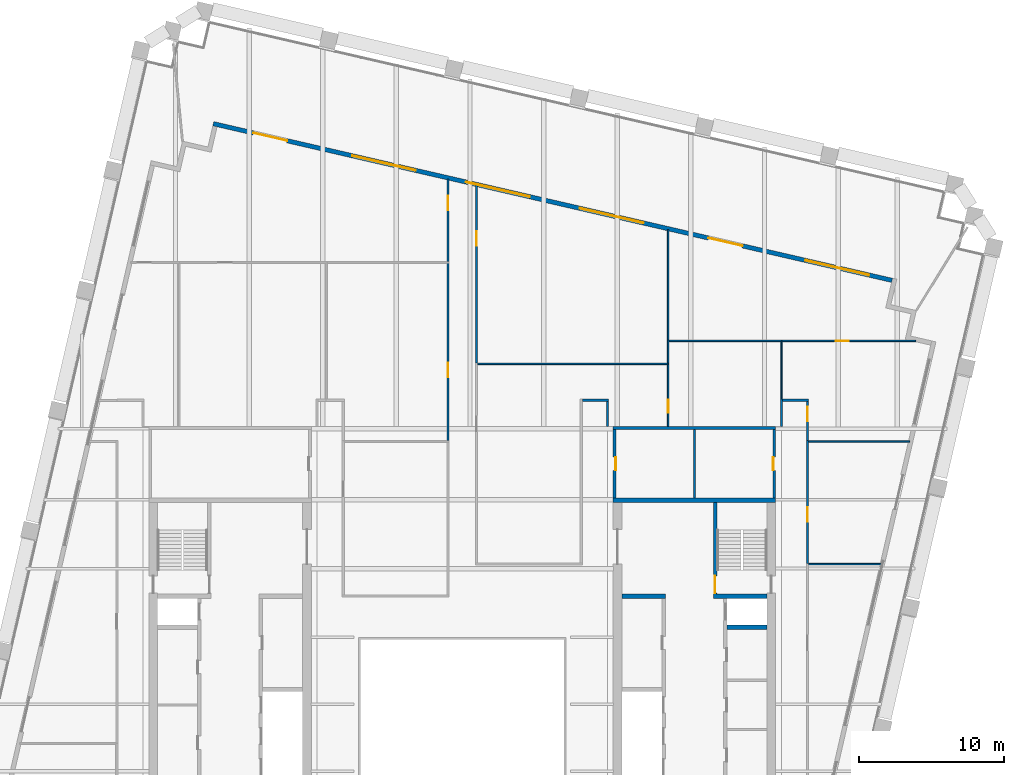
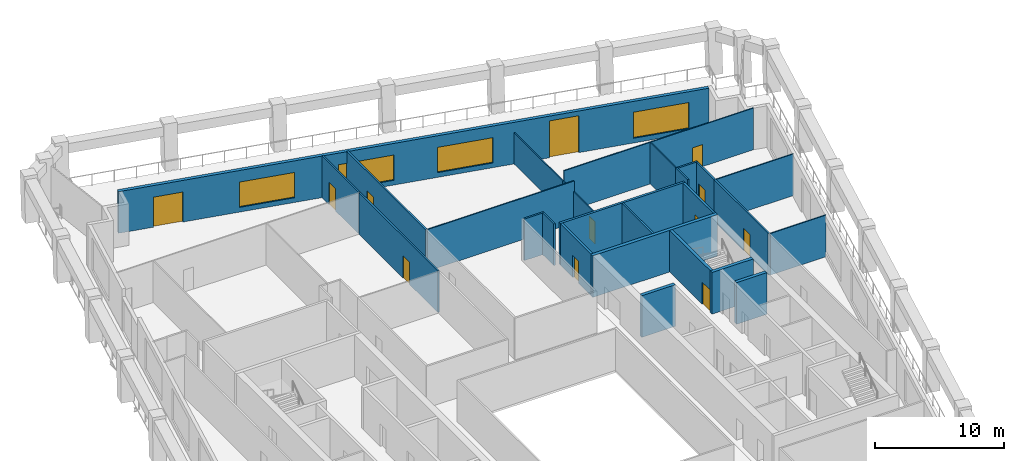
# One storey, part 7 of 10: 28 walls, 12 doors, 4 windows, 16 openings.
"""IFC4 building model written with IfcOpenShell, lengths in metres."""

from ifc_helpers import new_model, si_unit, direction, frame, frame_2d, origin, place, context, subcontext, project, spatial, rectangle, extrude, material, layer, layer_set, type_object, element, fill, save


model = new_model("IFC4")

# Units and contexts
model_context = context("Model", 3, precision=1e-05, world=origin(), true_north=direction((0.0, 1.0)))
body_context = subcontext(model_context, "Body", "Model", "MODEL_VIEW")
ifc_project = project(units=[si_unit("LENGTHUNIT", "METRE"), si_unit("AREAUNIT", "SQUARE_METRE"), si_unit("VOLUMEUNIT", "CUBIC_METRE"), si_unit("PLANEANGLEUNIT", "RADIAN"), si_unit("MASSUNIT", "GRAM", prefix="KILO")], contexts=[model_context])

# Site, building, storey
site_placement = place(None, origin())
site = spatial("IfcSite", under=ifc_project, at=site_placement, CompositionType="ELEMENT")
building_placement = place(site_placement, origin())
building = spatial("IfcBuilding", under=site, at=building_placement, Name="Ogive Exchange Tower", CompositionType="ELEMENT")
storey_placement = place(building_placement, frame((0.0, 0.0, 289.199951171875)))
storey = spatial("IfcBuildingStorey", under=building, at=storey_placement, Name="L63", CompositionType="ELEMENT", Elevation=289.199951171875)

# Walls
ifc_material_1 = material(Name="Gypsum board partition")
ifc_layer_1 = layer(ifc_material_1, 0.14990234375)
ifc_layer_set_1 = layer_set([ifc_layer_1], Name="Core room partition 150 gypsum")
wall_type_1 = type_object("IfcWallType", Name="Core room partition 150 gypsum", PredefinedType="PARTITIONING", material=ifc_layer_set_1)
wall_1_placement = place(storey_placement, frame((16.0, 25.75, 0.0), z_axis=(0.0, 0.0, 1.0), x_axis=(0.0, 1.0, 0.0)))
element("IfcWall", 1, at=wall_1_placement, inside=storey, type_object=wall_type_1, Name="E annex N column wall", PredefinedType="PARTITIONING", context=body_context, shape_type="SweptSolid", body=[
    extrude(rectangle(XDim=4.75, YDim=0.14990234375, at=frame_2d((2.375, 0.0))), origin(), (0.0, 0.0, 1.0), 3.949951171875),
])
ifc_layer_2 = layer(ifc_material_1, 0.300048828125)
ifc_layer_set_2 = layer_set([ifc_layer_2], Name="Core room partition 300 gypsum")
wall_type_2 = type_object("IfcWallType", Name="Core room partition 300 gypsum", PredefinedType="PARTITIONING", material=ifc_layer_set_2)
wall_2_placement = place(storey_placement, frame((11.0, 19.0, 0.0), z_axis=(0.0, 0.0, 1.0), x_axis=(1.0, 0.0, 0.0)))
element("IfcWall", 2, at=wall_2_placement, inside=storey, type_object=wall_type_2, Name="E row B room end wall 7", PredefinedType="PARTITIONING", context=body_context, shape_type="SweptSolid", body=[
    extrude(rectangle(XDim=3.0, YDim=0.300048828125, at=frame_2d((1.5, 0.0))), origin(), (0.0, 0.0, 1.0), 3.949951171875),
])

# Wall, opening, door
ifc_material_2 = material(Name="Fire partition EI 60 150")
ifc_layer_3 = layer(ifc_material_2, 0.14990234375)
ifc_layer_set_3 = layer_set([ifc_layer_3], Name="Fire partition EI 60 150")
wall_type_3 = type_object("IfcWallType", Name="Fire partition EI 60 150", PredefinedType="PARTITIONING", material=ifc_layer_set_3)
wall_3_placement = place(storey_placement, frame((-0.989990234375, 29.7099609375, 0.0), z_axis=(0.0, 0.0, 1.0), x_axis=(0.0, 1.0, 0.0)))
wall_3 = element("IfcWall", 3, at=wall_3_placement, inside=storey, type_object=wall_type_3, Name="L63-PWL-025", PredefinedType="PARTITIONING", context=body_context, shape_type="SweptSolid", body=[
    extrude(rectangle(XDim=12.239990234375, YDim=0.14990234375, at=frame_2d((6.1201171875, 0.0))), origin(), (0.0, 0.0, 1.0), 3.949951171875),
])
opening_1_placement = place(wall_3_placement, frame((4.389892578125, 0.0, 0.0)))
opening_1 = element("IfcOpeningElement", 4, at=opening_1_placement, cuts=wall_3, Name="Opening L63-I12", PredefinedType="OPENING", context=body_context, shape_type="SweptSolid", body=[
    extrude(rectangle(XDim=1.0, YDim=2.10009765625, at=frame_2d((0.5, 1.050048828125))), frame((0.0, 0.0849609375, 0.0), z_axis=(0.0, -1.0, 0.0), x_axis=(1.0, 0.0, 0.0)), (0.0, 0.0, 1.0), 0.169921875),
])
ifc_material_3 = material(Name="Fire door FD 30S 1000 x 2100")
door_type_1 = type_object("IfcDoorType", Name="Fire door FD 30S 1000 x 2100", OperationType="NOTDEFINED", PredefinedType="DOOR", material=ifc_material_3)
door_1_placement = place(opening_1_placement, origin())
door_1 = element("IfcDoor", 5, at=door_1_placement, inside=storey, type_object=door_type_1, Name="L63-IDR-012", ObjectType="DT3", OperationType="SINGLE_SWING_LEFT", OverallHeight=2.10009765625, OverallWidth=1.0, PredefinedType="DOOR", context=body_context, shape_type="SweptSolid", body=[
    extrude(rectangle(XDim=1.0, YDim=2.10009765625, at=frame_2d((0.5, 1.050048828125))), frame((0.0, 0.02490234375, 0.0), z_axis=(0.0, -1.0, 0.0), x_axis=(1.0, 0.0, 0.0)), (0.0, 0.0, 1.0), 0.050048828125),
])
fill(opening_1, door_1)

wall_4_placement = place(storey_placement, frame((-0.989990234375, 42.050048828125, 0.0), z_axis=(0.0, 0.0, 1.0), x_axis=(0.0, 1.0, 0.0)))
wall_4 = element("IfcWall", 6, at=wall_4_placement, inside=storey, type_object=wall_type_3, Name="L63-PWL-026", PredefinedType="PARTITIONING", context=body_context, shape_type="SweptSolid", body=[
    extrude(rectangle(XDim=5.702880859375, YDim=0.14990234375, at=frame_2d((2.8515625, 0.0))), origin(), (0.0, 0.0, 1.0), 3.949951171875),
])
opening_2_placement = place(wall_4_placement, frame((3.530029296875, 0.0, 0.0)))
opening_2 = element("IfcOpeningElement", 7, at=opening_2_placement, cuts=wall_4, Name="Opening L63-I13", PredefinedType="OPENING", context=body_context, shape_type="SweptSolid", body=[
    extrude(rectangle(XDim=1.0, YDim=2.10009765625, at=frame_2d((0.5, 1.050048828125))), frame((0.0, 0.0849609375, 0.0), z_axis=(0.0, -1.0, 0.0), x_axis=(1.0, 0.0, 0.0)), (0.0, 0.0, 1.0), 0.169921875),
])
door_2_placement = place(opening_2_placement, origin())
door_2 = element("IfcDoor", 8, at=door_2_placement, inside=storey, type_object=door_type_1, Name="L63-IDR-013", ObjectType="DT3", OperationType="SINGLE_SWING_LEFT", OverallHeight=2.10009765625, OverallWidth=1.0, PredefinedType="DOOR", context=body_context, shape_type="SweptSolid", body=[
    extrude(rectangle(XDim=1.0, YDim=2.10009765625, at=frame_2d((0.5, 1.050048828125))), frame((0.0, 0.02490234375, 0.0), z_axis=(0.0, -1.0, 0.0), x_axis=(1.0, 0.0, 0.0)), (0.0, 0.0, 1.0), 0.050048828125),
])
fill(opening_2, door_2)

wall_5_placement = place(storey_placement, frame((0.989990234375, 47.2958984375, 0.0), z_axis=(0.0, 0.0, 1.0), x_axis=(0.0, -1.0, 0.0)))
wall_5 = element("IfcWall", 9, at=wall_5_placement, inside=storey, type_object=wall_type_3, Name="L63-PWL-030", PredefinedType="PARTITIONING", context=body_context, shape_type="SweptSolid", body=[
    extrude(rectangle(XDim=12.245849609375, YDim=0.14990234375, at=frame_2d((6.123046875, 0.0))), origin(), (0.0, 0.0, 1.0), 3.949951171875),
])
opening_3_placement = place(wall_5_placement, frame((3.14599609375, 0.0, 0.0)))
opening_3 = element("IfcOpeningElement", 10, at=opening_3_placement, cuts=wall_5, Name="Opening L63-I03", PredefinedType="OPENING", context=body_context, shape_type="SweptSolid", body=[
    extrude(rectangle(XDim=1.0, YDim=2.10009765625, at=frame_2d((0.5, 1.050048828125))), frame((0.0, 0.0849609375, 0.0), z_axis=(0.0, -1.0, 0.0), x_axis=(1.0, 0.0, 0.0)), (0.0, 0.0, 1.0), 0.169921875),
])
door_3_placement = place(opening_3_placement, origin())
door_3 = element("IfcDoor", 11, at=door_3_placement, inside=storey, type_object=door_type_1, Name="L63-IDR-003", ObjectType="DT3", OperationType="SINGLE_SWING_RIGHT", OverallHeight=2.10009765625, OverallWidth=1.0, PredefinedType="DOOR", context=body_context, shape_type="SweptSolid", body=[
    extrude(rectangle(XDim=1.0, YDim=2.10009765625, at=frame_2d((0.5, 1.050048828125))), frame((0.0, 0.02490234375, 0.0), z_axis=(0.0, -1.0, 0.0), x_axis=(1.0, 0.0, 0.0)), (0.0, 0.0, 1.0), 0.050048828125),
])
fill(opening_3, door_3)

# Walls
wall_6_placement = place(storey_placement, frame((8.27490234375, 32.5, 0.0), z_axis=(0.0, 0.0, 1.0), x_axis=(1.0, 0.0, 0.0)))
element("IfcWall", 12, at=wall_6_placement, inside=storey, type_object=wall_type_3, Name="L63-PWL-032", PredefinedType="PARTITIONING", context=body_context, shape_type="SweptSolid", body=[
    extrude(rectangle(XDim=1.800048828125, YDim=0.14990234375, at=frame_2d((0.89990234375, 0.0))), origin(), (0.0, 0.0, 1.0), 3.949951171875),
])
wall_7_placement = place(storey_placement, frame((10.0, 32.425048828125, 0.0), z_axis=(0.0, 0.0, 1.0), x_axis=(0.0, -1.0, 0.0)))
element("IfcWall", 13, at=wall_7_placement, inside=storey, type_object=wall_type_3, Name="L63-PWL-035", PredefinedType="PARTITIONING", context=body_context, shape_type="SweptSolid", body=[
    extrude(rectangle(XDim=1.72509765625, YDim=0.14990234375, at=frame_2d((0.862548828125, 0.0))), origin(), (0.0, 0.0, 1.0), 3.949951171875),
])
wall_8_placement = place(storey_placement, frame((22.0, 30.699951171875, 0.0), z_axis=(0.0, 0.0, 1.0), x_axis=(0.0, 1.0, 0.0)))
element("IfcWall", 14, at=wall_8_placement, inside=storey, type_object=wall_type_3, Name="L63-PWL-041", PredefinedType="PARTITIONING", context=body_context, shape_type="SweptSolid", body=[
    extrude(rectangle(XDim=1.875, YDim=0.14990234375, at=frame_2d((0.9375, 0.0))), origin(), (0.0, 0.0, 1.0), 3.949951171875),
])
wall_9_placement = place(storey_placement, frame((22.074951171875, 32.5, 0.0), z_axis=(0.0, 0.0, 1.0), x_axis=(1.0, 0.0, 0.0)))
element("IfcWall", 15, at=wall_9_placement, inside=storey, type_object=wall_type_3, Name="L63-PWL-042", PredefinedType="PARTITIONING", context=body_context, shape_type="SweptSolid", body=[
    extrude(rectangle(XDim=1.800048828125, YDim=0.14990234375, at=frame_2d((0.89990234375, 0.0))), origin(), (0.0, 0.0, 1.0), 3.949951171875),
])

# Wall, opening, door
wall_10_placement = place(storey_placement, frame((23.800048828125, 29.7099609375, 0.0), z_axis=(0.0, 0.0, 1.0), x_axis=(0.0, -1.0, 0.0)))
wall_10 = element("IfcWall", 16, at=wall_10_placement, inside=storey, type_object=wall_type_3, Name="L63-PWL-049", PredefinedType="PARTITIONING", context=body_context, shape_type="SweptSolid", body=[
    extrude(rectangle(XDim=8.449951171875, YDim=0.14990234375, at=frame_2d((4.22509765625, 0.0))), origin(), (0.0, 0.0, 1.0), 3.949951171875),
])
opening_4_placement = place(wall_10_placement, frame((4.60009765625, 0.0, 0.0)))
opening_4 = element("IfcOpeningElement", 17, at=opening_4_placement, cuts=wall_10, Name="Opening L63-I06", PredefinedType="OPENING", context=body_context, shape_type="SweptSolid", body=[
    extrude(rectangle(XDim=1.0, YDim=2.10009765625, at=frame_2d((0.5, 1.050048828125))), frame((0.0, 0.0849609375, 0.0), z_axis=(0.0, -1.0, 0.0), x_axis=(1.0, 0.0, 0.0)), (0.0, 0.0, 1.0), 0.169921875),
])
door_4_placement = place(opening_4_placement, origin())
door_4 = element("IfcDoor", 18, at=door_4_placement, inside=storey, type_object=door_type_1, Name="L63-IDR-006", ObjectType="DT3", OperationType="SINGLE_SWING_LEFT", OverallHeight=2.10009765625, OverallWidth=1.0, PredefinedType="DOOR", context=body_context, shape_type="SweptSolid", body=[
    extrude(rectangle(XDim=1.0, YDim=2.10009765625, at=frame_2d((0.5, 1.050048828125))), frame((0.0, 0.02490234375, 0.0), z_axis=(0.0, -1.0, 0.0), x_axis=(1.0, 0.0, 0.0)), (0.0, 0.0, 1.0), 0.050048828125),
])
fill(opening_4, door_4)

wall_11_placement = place(storey_placement, frame((23.800048828125, 32.425048828125, 0.0), z_axis=(0.0, 0.0, 1.0), x_axis=(0.0, -1.0, 0.0)))
wall_11 = element("IfcWall", 19, at=wall_11_placement, inside=storey, type_object=wall_type_3, Name="L63-PWL-051", PredefinedType="PARTITIONING", context=body_context, shape_type="SweptSolid", body=[
    extrude(rectangle(XDim=2.715087890625, YDim=0.14990234375, at=frame_2d((1.357421875, 0.0))), origin(), (0.0, 0.0, 1.0), 3.949951171875),
])
opening_5_placement = place(wall_11_placement, frame((0.364990234375, 0.0, 0.0)))
opening_5 = element("IfcOpeningElement", 20, at=opening_5_placement, cuts=wall_11, Name="Opening L63-I07", PredefinedType="OPENING", context=body_context, shape_type="SweptSolid", body=[
    extrude(rectangle(XDim=1.0, YDim=2.10009765625, at=frame_2d((0.5, 1.050048828125))), frame((0.0, 0.0849609375, 0.0), z_axis=(0.0, -1.0, 0.0), x_axis=(1.0, 0.0, 0.0)), (0.0, 0.0, 1.0), 0.169921875),
])
door_5_placement = place(opening_5_placement, origin())
door_5 = element("IfcDoor", 21, at=door_5_placement, inside=storey, type_object=door_type_1, Name="L63-IDR-007", ObjectType="DT3", OperationType="SINGLE_SWING_LEFT", OverallHeight=2.10009765625, OverallWidth=1.0, PredefinedType="DOOR", context=body_context, shape_type="SweptSolid", body=[
    extrude(rectangle(XDim=1.0, YDim=2.10009765625, at=frame_2d((0.5, 1.050048828125))), frame((0.0, 0.02490234375, 0.0), z_axis=(0.0, -1.0, 0.0), x_axis=(1.0, 0.0, 0.0)), (0.0, 0.0, 1.0), 0.050048828125),
])
fill(opening_5, door_5)

# Wall, openings, doors, windows
ifc_material_4 = material(Name="Precast concrete C40/50", Category="concrete")
ifc_layer_4 = layer(ifc_material_4, 0.300048828125)
ifc_layer_set_4 = layer_set([ifc_layer_4], Name="Limestone-faced wall 300")
wall_type_4 = type_object("IfcWallType", Name="Limestone-faced wall 300", PredefinedType="STANDARD", material=ifc_layer_set_4)
wall_12_placement = place(storey_placement, frame((29.6162109375, 40.75830078125, 0.0), z_axis=(0.0, 0.0, 1.0), x_axis=(-0.974370532314, 0.224949029246, 0.0)))
wall_12 = element("IfcWall", 22, at=wall_12_placement, inside=storey, type_object=wall_type_4, Name="External wall N3", PredefinedType="STANDARD", context=body_context, shape_type="SweptSolid", body=[
    extrude(rectangle(XDim=48.000244140625, YDim=0.300048828125, at=frame_2d((24.0, 0.0))), origin(), (0.0, 0.0, 1.0), 3.949951171875),
])
opening_6_placement = place(wall_12_placement, frame((1.625, 0.0, 0.449951171875)))
opening_6 = element("IfcOpeningElement", 23, at=opening_6_placement, cuts=wall_12, Name="Opening W1P", PredefinedType="OPENING", context=body_context, shape_type="SweptSolid", body=[
    extrude(rectangle(XDim=4.5, YDim=2.47509765625, at=frame_2d((2.25, 1.237548828125))), frame((0.0, 0.159912109375, 0.0), z_axis=(0.0, -1.0, 0.0), x_axis=(1.0, 0.0, 0.0)), (0.0, 0.0, 1.0), 0.320068359375),
])
opening_7_placement = place(wall_12_placement, frame((10.574951171875, 0.0, 0.0)))
opening_7 = element("IfcOpeningElement", 24, at=opening_7_placement, cuts=wall_12, Name="Opening D1", PredefinedType="OPENING", context=body_context, shape_type="SweptSolid", body=[
    extrude(rectangle(XDim=2.39990234375, YDim=3.5, at=frame_2d((1.199951171875, 1.75))), frame((0.0, 0.159912109375, 0.0), z_axis=(0.0, -1.0, 0.0), x_axis=(1.0, 0.0, 0.0)), (0.0, 0.0, 1.0), 0.320068359375),
])
opening_8_placement = place(wall_12_placement, frame((17.574951171875, 0.0, 0.449951171875)))
opening_8 = element("IfcOpeningElement", 25, at=opening_8_placement, cuts=wall_12, Name="Opening W1R", PredefinedType="OPENING", context=body_context, shape_type="SweptSolid", body=[
    extrude(rectangle(XDim=4.5, YDim=2.39990234375, at=frame_2d((2.25, 1.199951171875))), frame((0.0, 0.159912109375, 0.0), z_axis=(0.0, -1.0, 0.0), x_axis=(1.0, 0.0, 0.0)), (0.0, 0.0, 1.0), 0.320068359375),
])
opening_9_placement = place(wall_12_placement, frame((25.625, 0.0, 0.449951171875)))
opening_9 = element("IfcOpeningElement", 26, at=opening_9_placement, cuts=wall_12, Name="Opening W1R", PredefinedType="OPENING", context=body_context, shape_type="SweptSolid", body=[
    extrude(rectangle(XDim=4.5, YDim=2.39990234375, at=frame_2d((2.25, 1.199951171875))), frame((0.0, 0.159912109375, 0.0), z_axis=(0.0, -1.0, 0.0), x_axis=(1.0, 0.0, 0.0)), (0.0, 0.0, 1.0), 0.320068359375),
])
opening_10_placement = place(wall_12_placement, frame((33.675048828125, 0.0, 0.449951171875)))
opening_10 = element("IfcOpeningElement", 27, at=opening_10_placement, cuts=wall_12, Name="Opening W1R", PredefinedType="OPENING", context=body_context, shape_type="SweptSolid", body=[
    extrude(rectangle(XDim=4.5, YDim=2.39990234375, at=frame_2d((2.25, 1.199951171875))), frame((0.0, 0.159912109375, 0.0), z_axis=(0.0, -1.0, 0.0), x_axis=(1.0, 0.0, 0.0)), (0.0, 0.0, 1.0), 0.320068359375),
])
opening_11_placement = place(wall_12_placement, frame((42.77490234375, 0.0, 0.0)))
opening_11 = element("IfcOpeningElement", 28, at=opening_11_placement, cuts=wall_12, Name="Opening D1R", PredefinedType="OPENING", context=body_context, shape_type="SweptSolid", body=[
    extrude(rectangle(XDim=2.39990234375, YDim=2.85009765625, at=frame_2d((1.199951171875, 1.425048828125))), frame((0.0, 0.159912109375, 0.0), z_axis=(0.0, -1.0, 0.0), x_axis=(1.0, 0.0, 0.0)), (0.0, 0.0, 1.0), 0.320068359375),
])
ifc_material_5 = material(Name="Clear glass in bronze frame", Category="glass")
door_type_2 = type_object("IfcDoorType", Name="Sliding loggia door 2400 x 2850", OperationType="DOUBLE_DOOR_SLIDING", PredefinedType="DOOR", material=ifc_material_5)
door_6_placement = place(opening_11_placement, origin())
door_6 = element("IfcDoor", 29, at=door_6_placement, inside=storey, type_object=door_type_2, Name="Loggia door N05", OperationType="DOUBLE_DOOR_SLIDING", OverallHeight=2.85009765625, OverallWidth=2.39990234375, PredefinedType="DOOR", context=body_context, shape_type="SweptSolid", body=[
    extrude(rectangle(XDim=2.39990234375, YDim=2.85009765625, at=frame_2d((1.199951171875, 1.425048828125))), frame((0.0, 0.02490234375, 0.0), z_axis=(0.0, -1.0, 0.0), x_axis=(1.0, 0.0, 0.0)), (0.0, 0.0, 1.0), 0.050048828125),
])
fill(opening_11, door_6)
door_type_3 = type_object("IfcDoorType", Name="Sliding loggia door 2400 x 3500", OperationType="DOUBLE_DOOR_SLIDING", PredefinedType="DOOR", material=ifc_material_5)
door_7_placement = place(opening_7_placement, origin())
door_7 = element("IfcDoor", 30, at=door_7_placement, inside=storey, type_object=door_type_3, Name="Loggia door N01", OperationType="DOUBLE_DOOR_SLIDING", OverallHeight=3.5, OverallWidth=2.39990234375, PredefinedType="DOOR", context=body_context, shape_type="SweptSolid", body=[
    extrude(rectangle(XDim=2.39990234375, YDim=3.5, at=frame_2d((1.199951171875, 1.75))), frame((0.0, 0.02490234375, 0.0), z_axis=(0.0, -1.0, 0.0), x_axis=(1.0, 0.0, 0.0)), (0.0, 0.0, 1.0), 0.050048828125),
])
fill(opening_7, door_7)
window_type_1 = type_object("IfcWindowType", Name="Twin lancet window 4500 x 2400", PartitioningType="DOUBLE_PANEL_VERTICAL", PredefinedType="WINDOW", material=ifc_material_5)
window_1_placement = place(opening_8_placement, origin())
window_1 = element("IfcWindow", 31, at=window_1_placement, inside=storey, type_object=window_type_1, Name="Window N02", OverallHeight=2.39990234375, OverallWidth=4.5, PartitioningType="DOUBLE_PANEL_VERTICAL", PredefinedType="WINDOW", context=body_context, shape_type="SweptSolid", body=[
    extrude(rectangle(XDim=4.5, YDim=2.39990234375, at=frame_2d((2.25, 1.199951171875))), frame((0.0, 0.030029296875, 0.0), z_axis=(0.0, -1.0, 0.0), x_axis=(1.0, 0.0, 0.0)), (0.0, 0.0, 1.0), 0.06005859375),
])
fill(opening_8, window_1)
window_2_placement = place(opening_9_placement, origin())
window_2 = element("IfcWindow", 32, at=window_2_placement, inside=storey, type_object=window_type_1, Name="Window N03", OverallHeight=2.39990234375, OverallWidth=4.5, PartitioningType="DOUBLE_PANEL_VERTICAL", PredefinedType="WINDOW", context=body_context, shape_type="SweptSolid", body=[
    extrude(rectangle(XDim=4.5, YDim=2.39990234375, at=frame_2d((2.25, 1.199951171875))), frame((0.0, 0.030029296875, 0.0), z_axis=(0.0, -1.0, 0.0), x_axis=(1.0, 0.0, 0.0)), (0.0, 0.0, 1.0), 0.06005859375),
])
fill(opening_9, window_2)
window_3_placement = place(opening_10_placement, origin())
window_3 = element("IfcWindow", 33, at=window_3_placement, inside=storey, type_object=window_type_1, Name="Window N04", OverallHeight=2.39990234375, OverallWidth=4.5, PartitioningType="DOUBLE_PANEL_VERTICAL", PredefinedType="WINDOW", context=body_context, shape_type="SweptSolid", body=[
    extrude(rectangle(XDim=4.5, YDim=2.39990234375, at=frame_2d((2.25, 1.199951171875))), frame((0.0, 0.030029296875, 0.0), z_axis=(0.0, -1.0, 0.0), x_axis=(1.0, 0.0, 0.0)), (0.0, 0.0, 1.0), 0.06005859375),
])
fill(opening_10, window_3)
window_type_2 = type_object("IfcWindowType", Name="Twin lancet window 4500 x 2475", PartitioningType="DOUBLE_PANEL_VERTICAL", PredefinedType="WINDOW", material=ifc_material_5)
window_4_placement = place(opening_6_placement, origin())
window_4 = element("IfcWindow", 34, at=window_4_placement, inside=storey, type_object=window_type_2, Name="Window N00", OverallHeight=2.47509765625, OverallWidth=4.5, PartitioningType="DOUBLE_PANEL_VERTICAL", PredefinedType="WINDOW", context=body_context, shape_type="SweptSolid", body=[
    extrude(rectangle(XDim=4.5, YDim=2.47509765625, at=frame_2d((2.25, 1.237548828125))), frame((0.0, 0.030029296875, 0.0), z_axis=(0.0, -1.0, 0.0), x_axis=(1.0, 0.0, 0.0)), (0.0, 0.0, 1.0), 0.06005859375),
])
fill(opening_6, window_4)

# Wall
ifc_material_6 = material(Name="Partition 100 gypsum")
ifc_layer_5 = layer(ifc_material_6, 0.10009765625)
ifc_layer_set_5 = layer_set([ifc_layer_5], Name="Partition 100 gypsum")
wall_type_5 = type_object("IfcWallType", Name="Partition 100 gypsum", PredefinedType="PARTITIONING", material=ifc_layer_set_5)
wall_13_placement = place(storey_placement, frame((14.239990234375, 35.0, 0.0), z_axis=(0.0, 0.0, 1.0), x_axis=(-1.0, 0.0, 0.0)))
element("IfcWall", 35, at=wall_13_placement, inside=storey, type_object=wall_type_5, Name="L63-PWL-036", PredefinedType="PARTITIONING", context=body_context, shape_type="SweptSolid", body=[
    extrude(rectangle(XDim=13.175048828125, YDim=0.10009765625, at=frame_2d((6.58740234375, 0.0))), origin(), (0.0, 0.0, 1.0), 3.949951171875),
])

# Wall, opening, door
wall_14_placement = place(storey_placement, frame((14.18994140625, 34.949951171875, 0.0), z_axis=(0.0, 0.0, 1.0), x_axis=(0.0, -1.0, 0.0)))
wall_14 = element("IfcWall", 36, at=wall_14_placement, inside=storey, type_object=wall_type_5, Name="L63-PWL-037", PredefinedType="PARTITIONING", context=body_context, shape_type="SweptSolid", body=[
    extrude(rectangle(XDim=4.25, YDim=0.10009765625, at=frame_2d((2.125, 0.0))), origin(), (0.0, 0.0, 1.0), 2.969970703125),
])
opening_12_placement = place(wall_14_placement, frame((2.39990234375, 0.0, 0.0)))
opening_12 = element("IfcOpeningElement", 37, at=opening_12_placement, cuts=wall_14, Name="Opening L63-I05", PredefinedType="OPENING", context=body_context, shape_type="SweptSolid", body=[
    extrude(rectangle(XDim=0.89990234375, YDim=2.10009765625, at=frame_2d((0.449951171875, 1.050048828125))), frame((0.0, 0.06005859375, 0.0), z_axis=(0.0, -1.0, 0.0), x_axis=(1.0, 0.0, 0.0)), (0.0, 0.0, 1.0), 0.1201171875),
])
ifc_material_7 = material(Name="Door 900 x 2100")
door_type_4 = type_object("IfcDoorType", Name="Door 900 x 2100", OperationType="NOTDEFINED", PredefinedType="DOOR", material=ifc_material_7)
door_8_placement = place(opening_12_placement, origin())
door_8 = element("IfcDoor", 38, at=door_8_placement, inside=storey, type_object=door_type_4, Name="L63-IDR-005", ObjectType="DT1", OperationType="SINGLE_SWING_LEFT", OverallHeight=2.10009765625, OverallWidth=0.89990234375, PredefinedType="DOOR", context=body_context, shape_type="SweptSolid", body=[
    extrude(rectangle(XDim=0.89990234375, YDim=2.10009765625, at=frame_2d((0.449951171875, 1.050048828125))), frame((0.0, 0.02490234375, 0.0), z_axis=(0.0, -1.0, 0.0), x_axis=(1.0, 0.0, 0.0)), (0.0, 0.0, 1.0), 0.050048828125),
])
fill(opening_12, door_8)

# Walls
wall_15_placement = place(storey_placement, frame((14.18994140625, 36.639892578125, 0.0), z_axis=(0.0, 0.0, 1.0), x_axis=(0.0, -1.0, 0.0)))
element("IfcWall", 39, at=wall_15_placement, inside=storey, type_object=wall_type_5, Name="L63-PWL-038", PredefinedType="PARTITIONING", context=body_context, shape_type="SweptSolid", body=[
    extrude(rectangle(XDim=1.58984375, YDim=0.10009765625, at=frame_2d((0.794921875, 0.0))), origin(), (0.0, 0.0, 1.0), 2.969970703125),
])
wall_16_placement = place(storey_placement, frame((14.239990234375, 36.590087890625, 0.0), z_axis=(0.0, 0.0, 1.0), x_axis=(1.0, 0.0, 0.0)))
element("IfcWall", 40, at=wall_16_placement, inside=storey, type_object=wall_type_5, Name="L63-PWL-039", PredefinedType="PARTITIONING", context=body_context, shape_type="SweptSolid", body=[
    extrude(rectangle(XDim=7.760009765625, YDim=0.10009765625, at=frame_2d((3.8798828125, 0.0))), origin(), (0.0, 0.0, 1.0), 3.949951171875),
])
wall_17_placement = place(storey_placement, frame((14.18994140625, 44.248046875, 0.0), z_axis=(0.0, 0.0, 1.0), x_axis=(0.0, -1.0, 0.0)))
element("IfcWall", 41, at=wall_17_placement, inside=storey, type_object=wall_type_5, Name="L63-PWL-040", PredefinedType="PARTITIONING", context=body_context, shape_type="SweptSolid", body=[
    extrude(rectangle(XDim=7.657958984375, YDim=0.10009765625, at=frame_2d((3.8291015625, 0.0))), origin(), (0.0, 0.0, 1.0), 2.969970703125),
])
wall_18_placement = place(storey_placement, frame((22.0, 36.5400390625, 0.0), z_axis=(0.0, 0.0, 1.0), x_axis=(0.0, -1.0, 0.0)))
element("IfcWall", 42, at=wall_18_placement, inside=storey, type_object=wall_type_5, Name="L63-PWL-043", PredefinedType="PARTITIONING", context=body_context, shape_type="SweptSolid", body=[
    extrude(rectangle(XDim=3.965087890625, YDim=0.10009765625, at=frame_2d((1.982421875, 0.0))), origin(), (0.0, 0.0, 1.0), 3.949951171875),
])

# Wall, opening, door
wall_19_placement = place(storey_placement, frame((22.0, 36.590087890625, 0.0), z_axis=(0.0, 0.0, 1.0), x_axis=(1.0, 0.0, 0.0)))
wall_19 = element("IfcWall", 43, at=wall_19_placement, inside=storey, type_object=wall_type_5, Name="L63-PWL-044", PredefinedType="PARTITIONING", context=body_context, shape_type="SweptSolid", body=[
    extrude(rectangle(XDim=9.2451171875, YDim=0.10009765625, at=frame_2d((4.62255859375, 0.0))), origin(), (0.0, 0.0, 1.0), 3.949951171875),
])
opening_13_placement = place(wall_19_placement, frame((3.75, 0.0, 0.0)))
opening_13 = element("IfcOpeningElement", 44, at=opening_13_placement, cuts=wall_19, Name="Opening L63-I08", PredefinedType="OPENING", context=body_context, shape_type="SweptSolid", body=[
    extrude(rectangle(XDim=0.89990234375, YDim=2.10009765625, at=frame_2d((0.449951171875, 1.050048828125))), frame((0.0, 0.06005859375, 0.0), z_axis=(0.0, -1.0, 0.0), x_axis=(1.0, 0.0, 0.0)), (0.0, 0.0, 1.0), 0.1201171875),
])
door_9_placement = place(opening_13_placement, frame((0.89990234375, 0.0, 0.0), z_axis=(0.0, 0.0, 1.0), x_axis=(-1.0, 0.0, 0.0)))
door_9 = element("IfcDoor", 45, at=door_9_placement, inside=storey, type_object=door_type_4, Name="L63-IDR-008", ObjectType="DT1", OperationType="SINGLE_SWING_LEFT", OverallHeight=2.10009765625, OverallWidth=0.89990234375, PredefinedType="DOOR", context=body_context, shape_type="SweptSolid", body=[
    extrude(rectangle(XDim=0.89990234375, YDim=2.10009765625, at=frame_2d((0.449951171875, 1.050048828125))), frame((0.0, 0.02490234375, 0.0), z_axis=(0.0, -1.0, 0.0), x_axis=(1.0, 0.0, 0.0)), (0.0, 0.0, 1.0), 0.050048828125),
])
fill(opening_13, door_9)

# Walls
wall_20_placement = place(storey_placement, frame((23.875, 21.2099609375, 0.0), z_axis=(0.0, 0.0, 1.0), x_axis=(1.0, 0.0, 0.0)))
element("IfcWall", 46, at=wall_20_placement, inside=storey, type_object=wall_type_5, Name="L63-PWL-048", PredefinedType="PARTITIONING", context=body_context, shape_type="SweptSolid", body=[
    extrude(rectangle(XDim=5.0048828125, YDim=0.10009765625, at=frame_2d((2.50244140625, 0.0))), origin(), (0.0, 0.0, 1.0), 3.949951171875),
])
wall_21_placement = place(storey_placement, frame((23.875, 29.659912109375, 0.0), z_axis=(0.0, 0.0, 1.0), x_axis=(1.0, 0.0, 0.0)))
element("IfcWall", 47, at=wall_21_placement, inside=storey, type_object=wall_type_5, Name="L63-PWL-050", PredefinedType="PARTITIONING", context=body_context, shape_type="SweptSolid", body=[
    extrude(rectangle(XDim=6.9560546875, YDim=0.10009765625, at=frame_2d((3.47802734375, 0.0))), origin(), (0.0, 0.0, 1.0), 3.949951171875),
])

# Wall, opening, door
ifc_material_8 = material(Name="Concrete C70/85", Category="concrete")
ifc_layer_6 = layer(ifc_material_8, 0.199951171875)
ifc_layer_set_6 = layer_set([ifc_layer_6], Name="RC core wall 200 C70/85")
wall_type_6 = type_object("IfcWallType", Name="RC core wall 200 C70/85", PredefinedType="SHEAR", material=ifc_layer_set_6)
wall_22_placement = place(storey_placement, frame((21.5, 25.75, 0.0), z_axis=(0.0, 0.0, 1.0), x_axis=(0.0, 1.0, 0.0)))
wall_22 = element("IfcWall", 48, at=wall_22_placement, inside=storey, type_object=wall_type_6, Name="E annex N outer wall", PredefinedType="SHEAR", context=body_context, shape_type="SweptSolid", body=[
    extrude(rectangle(XDim=4.75, YDim=0.199951171875, at=frame_2d((2.375, 0.0))), origin(), (0.0, 0.0, 1.0), 3.949951171875),
])
opening_14_placement = place(wall_22_placement, frame((1.925048828125, 0.0, 0.0)))
opening_14 = element("IfcOpeningElement", 49, at=opening_14_placement, cuts=wall_22, Name="Opening L63-C37", PredefinedType="OPENING", context=body_context, shape_type="SweptSolid", body=[
    extrude(rectangle(XDim=0.89990234375, YDim=2.10009765625, at=frame_2d((0.449951171875, 1.050048828125))), frame((0.0, 0.10986328125, 0.0), z_axis=(0.0, -1.0, 0.0), x_axis=(1.0, 0.0, 0.0)), (0.0, 0.0, 1.0), 0.219970703125),
])
ifc_material_9 = material(Name="Steel fire door", Category="steel")
door_type_5 = type_object("IfcDoorType", Name="Riser door FD60 900 x 2100", OperationType="NOTDEFINED", PredefinedType="DOOR", material=ifc_material_9)
door_10_placement = place(opening_14_placement, frame((0.89990234375, 0.14990234375, 0.0), z_axis=(0.0, 0.0, 1.0), x_axis=(-1.0, 0.0, 0.0)))
door_10 = element("IfcDoor", 50, at=door_10_placement, inside=storey, type_object=door_type_5, Name="Riser door", ObjectType="CD2", OperationType="SINGLE_SWING_LEFT", OverallHeight=2.10009765625, OverallWidth=0.89990234375, PredefinedType="DOOR", context=body_context, shape_type="SweptSolid", body=[
    extrude(rectangle(XDim=0.89990234375, YDim=2.10009765625, at=frame_2d((0.449951171875, 1.050048828125))), frame((0.0, 0.10009765625, 0.0), z_axis=(0.0, -1.0, 0.0), x_axis=(1.0, 0.0, 0.0)), (0.0, 0.0, 1.0), 0.050048828125),
])
fill(opening_14, door_10)

wall_23_placement = place(storey_placement, frame((10.5, 25.75, 0.0), z_axis=(0.0, 0.0, 1.0), x_axis=(0.0, 1.0, 0.0)))
wall_23 = element("IfcWall", 51, at=wall_23_placement, inside=storey, type_object=wall_type_6, Name="E annex N inner wall", PredefinedType="SHEAR", context=body_context, shape_type="SweptSolid", body=[
    extrude(rectangle(XDim=4.75, YDim=0.199951171875, at=frame_2d((2.375, 0.0))), origin(), (0.0, 0.0, 1.0), 3.949951171875),
])
opening_15_placement = place(wall_23_placement, frame((1.925048828125, 0.0, 0.0)))
opening_15 = element("IfcOpeningElement", 52, at=opening_15_placement, cuts=wall_23, Name="Opening L63-C38", PredefinedType="OPENING", context=body_context, shape_type="SweptSolid", body=[
    extrude(rectangle(XDim=0.89990234375, YDim=2.10009765625, at=frame_2d((0.449951171875, 1.050048828125))), frame((0.0, 0.10986328125, 0.0), z_axis=(0.0, -1.0, 0.0), x_axis=(1.0, 0.0, 0.0)), (0.0, 0.0, 1.0), 0.219970703125),
])
ifc_material_10 = material(Name="Timber fire door", Category="wood")
door_type_6 = type_object("IfcDoorType", Name="Core room door FD30S 900 x 2100", OperationType="NOTDEFINED", PredefinedType="DOOR", material=ifc_material_10)
door_11_placement = place(opening_15_placement, origin())
door_11 = element("IfcDoor", 53, at=door_11_placement, inside=storey, type_object=door_type_6, Name="Core room door", ObjectType="CD6", OperationType="SINGLE_SWING_LEFT", OverallHeight=2.10009765625, OverallWidth=0.89990234375, PredefinedType="DOOR", context=body_context, shape_type="SweptSolid", body=[
    extrude(rectangle(XDim=0.89990234375, YDim=2.10009765625, at=frame_2d((0.449951171875, 1.050048828125))), frame((0.0, -0.0498046875, 0.0), z_axis=(0.0, -1.0, 0.0), x_axis=(1.0, 0.0, 0.0)), (0.0, 0.0, 1.0), 0.050048828125),
])
fill(opening_15, door_11)

# Wall
wall_24_placement = place(storey_placement, frame((10.39990234375, 30.60009765625, 0.0), z_axis=(0.0, 0.0, 1.0), x_axis=(1.0, 0.0, 0.0)))
element("IfcWall", 54, at=wall_24_placement, inside=storey, type_object=wall_type_6, Name="E annex N end wall", PredefinedType="SHEAR", context=body_context, shape_type="SweptSolid", body=[
    extrude(rectangle(XDim=11.2001953125, YDim=0.199951171875, at=frame_2d((5.60009765625, 0.0))), origin(), (0.0, 0.0, 1.0), 3.949951171875),
])

# Wall, opening, door
ifc_layer_7 = layer(ifc_material_8, 0.25)
ifc_layer_set_7 = layer_set([ifc_layer_7], Name="RC core wall 250 C70/85")
wall_type_7 = type_object("IfcWallType", Name="RC core wall 250 C70/85", PredefinedType="SHEAR", material=ifc_layer_set_7)
wall_25_placement = place(storey_placement, frame((17.425048828125, 19.14990234375, 0.0), z_axis=(0.0, 0.0, 1.0), x_axis=(0.0, 1.0, 0.0)))
wall_25 = element("IfcWall", 55, at=wall_25_placement, inside=storey, type_object=wall_type_7, Name="E stair N front wall", PredefinedType="SHEAR", context=body_context, shape_type="SweptSolid", body=[
    extrude(rectangle(XDim=6.300048828125, YDim=0.25, at=frame_2d((3.14990234375, 0.0))), origin(), (0.0, 0.0, 1.0), 3.949951171875),
])
opening_16_placement = place(wall_25_placement, frame((0.050048828125, 0.0, 0.0)))
opening_16 = element("IfcOpeningElement", 56, at=opening_16_placement, cuts=wall_25, Name="Opening L63-C33", PredefinedType="OPENING", context=body_context, shape_type="SweptSolid", body=[
    extrude(rectangle(XDim=1.199951171875, YDim=2.10009765625, at=frame_2d((0.60009765625, 1.050048828125))), frame((0.0, 0.135009765625, 0.0), z_axis=(0.0, -1.0, 0.0), x_axis=(1.0, 0.0, 0.0)), (0.0, 0.0, 1.0), 0.27001953125),
])
door_type_7 = type_object("IfcDoorType", Name="Stair door FD90 1200 x 2100", OperationType="NOTDEFINED", PredefinedType="DOOR", material=ifc_material_9)
door_12_placement = place(opening_16_placement, frame((1.199951171875, 0.0, 0.0), z_axis=(0.0, 0.0, 1.0), x_axis=(-1.0, 0.0, 0.0)))
door_12 = element("IfcDoor", 57, at=door_12_placement, inside=storey, type_object=door_type_7, Name="Stair door", ObjectType="CD5", OperationType="SINGLE_SWING_LEFT", OverallHeight=2.10009765625, OverallWidth=1.199951171875, PredefinedType="DOOR", context=body_context, shape_type="SweptSolid", body=[
    extrude(rectangle(XDim=1.199951171875, YDim=2.10009765625, at=frame_2d((0.60009765625, 1.050048828125))), frame((0.0, 0.02490234375, 0.0), z_axis=(0.0, -1.0, 0.0), x_axis=(1.0, 0.0, 0.0)), (0.0, 0.0, 1.0), 0.050048828125),
])
fill(opening_16, door_12)

# Walls
ifc_layer_8 = layer(ifc_material_8, 0.300048828125)
ifc_layer_set_8 = layer_set([ifc_layer_8], Name="RC core wall 300 C70/85")
wall_type_8 = type_object("IfcWallType", Name="RC core wall 300 C70/85", PredefinedType="SHEAR", material=ifc_layer_set_8)
wall_26_placement = place(storey_placement, frame((10.39990234375, 25.60009765625, 0.0), z_axis=(0.0, 0.0, 1.0), x_axis=(1.0, 0.0, 0.0)))
element("IfcWall", 58, at=wall_26_placement, inside=storey, type_object=wall_type_8, Name="E north end wall", PredefinedType="SHEAR", context=body_context, shape_type="SweptSolid", body=[
    extrude(rectangle(XDim=11.2001953125, YDim=0.300048828125, at=frame_2d((5.60009765625, 0.0))), origin(), (0.0, 0.0, 1.0), 3.949951171875),
])
wall_27_placement = place(storey_placement, frame((17.300048828125, 19.0, 0.0), z_axis=(0.0, 0.0, 1.0), x_axis=(1.0, 0.0, 0.0)))
element("IfcWall", 59, at=wall_27_placement, inside=storey, type_object=wall_type_8, Name="E stair N south wall", PredefinedType="SHEAR", context=body_context, shape_type="SweptSolid", body=[
    extrude(rectangle(XDim=3.699951171875, YDim=0.300048828125, at=frame_2d((1.85009765625, 0.0))), origin(), (0.0, 0.0, 1.0), 3.949951171875),
])
wall_28_placement = place(storey_placement, frame((18.25, 16.857177734375, 0.0), z_axis=(0.0, 0.0, 1.0), x_axis=(1.0, 0.0, 0.0)))
element("IfcWall", 60, at=wall_28_placement, inside=storey, type_object=wall_type_8, Name="E row A divider 6", PredefinedType="SHEAR", context=body_context, shape_type="SweptSolid", body=[
    extrude(rectangle(XDim=2.75, YDim=0.300048828125, at=frame_2d((1.375, 0.0))), origin(), (0.0, 0.0, 1.0), 3.949951171875),
])

save(model, "model.ifc")
